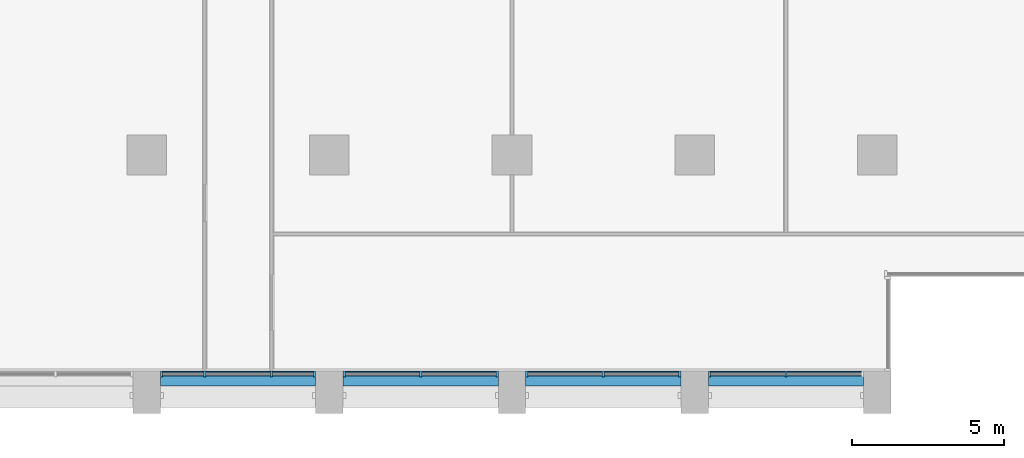
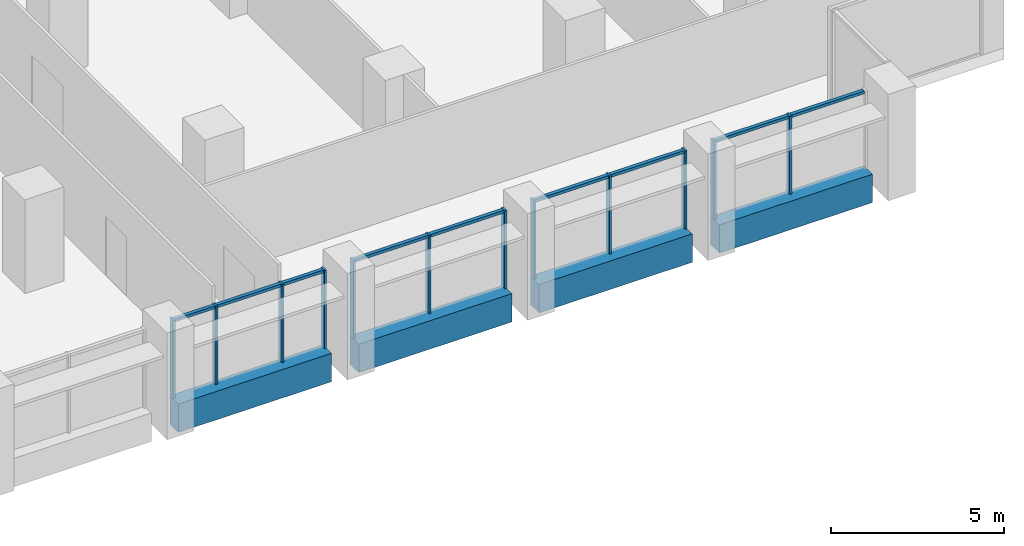
# One storey, part 3 of 15: 21 members, 4 beams, 4 elements without a shape of their own.
"""IFC4 building model written with IfcOpenShell, lengths in metres."""

from ifc_helpers import new_model, si_unit, direction, frame, origin, origin_2d, place, context, subcontext, project, spatial, rectangle, extrude, material, material_profile, profile_set, type_object, element, aggregate, save


model = new_model("IFC4")

# Units and contexts
model_context = context("Model", 3, precision=1e-05, world=origin(), true_north=direction((0.0, 1.0)))
body_context = subcontext(model_context, "Body", "Model", "MODEL_VIEW")
ifc_project = project(units=[si_unit("LENGTHUNIT", "METRE"), si_unit("AREAUNIT", "SQUARE_METRE"), si_unit("VOLUMEUNIT", "CUBIC_METRE"), si_unit("PLANEANGLEUNIT", "RADIAN"), si_unit("MASSUNIT", "GRAM", prefix="KILO")], contexts=[model_context])

# Site, building, storey
site_placement = place(None, origin())
site = spatial("IfcSite", under=ifc_project, at=site_placement, CompositionType="ELEMENT")
building_placement = place(site_placement, origin())
building = spatial("IfcBuilding", under=site, at=building_placement, Name="Calvaro Tower", CompositionType="ELEMENT")
storey_placement = place(building_placement, frame((0.0, 0.0, 128.75)))
storey = spatial("IfcBuildingStorey", under=building, at=storey_placement, Name="L32", CompositionType="ELEMENT", Elevation=128.75)

# Curtain wall, members
ifc_material_1 = material(Name="Anodised aluminium", Category="aluminium")
curtain_wall_type = type_object("IfcCurtainWallType", Name="Office curtain wall, middle zone", PredefinedType="NOTDEFINED", material=ifc_material_1)
curtain_wall_1_placement = place(storey_placement, origin())
curtain_wall_1 = element("IfcCurtainWall", 1, at=curtain_wall_1_placement, inside=storey, type_object=curtain_wall_type, Name="CW2 south curtain wall", PredefinedType="NOTDEFINED")
ifc_material_2 = material(Name="Anodised aluminium", Category="aluminium")
ifc_material_profile_1 = material_profile(ifc_material_2, rectangle(XDim=0.199951171875, YDim=0.070068359375, at=origin_2d()), Name="Mullion S2 70 x 200")
ifc_profile_set_1 = profile_set([ifc_material_profile_1], Name="Anodised aluminium")
member_type_1 = type_object("IfcMemberType", Name="Mullion S2 70 x 200", PredefinedType="MULLION", material=ifc_profile_set_1)
member_1_placement = place(storey_placement, frame((42.485107421875, 2.800048828125, 0.0), z_axis=(0.0, 0.0, 1.0), x_axis=(0.0, 1.0, 0.0)))
member_1 = element("IfcMember", 2, at=member_1_placement, type_object=member_type_1, Name="CW2 mullion 1", PredefinedType="MULLION", context=body_context, shape_type="SweptSolid", body=[
    extrude(rectangle(XDim=0.199951171875, YDim=0.070068359375, at=origin_2d()), origin(), (0.0, 0.0, 1.0), 2.75),
])
member_2_placement = place(storey_placement, frame((43.89990234375, 2.800048828125, 0.0), z_axis=(0.0, 0.0, 1.0), x_axis=(0.0, 1.0, 0.0)))
member_2 = element("IfcMember", 3, at=member_2_placement, type_object=member_type_1, Name="CW2 mullion 2", PredefinedType="MULLION", context=body_context, shape_type="SweptSolid", body=[
    extrude(rectangle(XDim=0.199951171875, YDim=0.070068359375, at=origin_2d()), origin(), (0.0, 0.0, 1.0), 2.75),
])
member_3_placement = place(storey_placement, frame((46.10009765625, 2.800048828125, 0.0), z_axis=(0.0, 0.0, 1.0), x_axis=(0.0, 1.0, 0.0)))
member_3 = element("IfcMember", 4, at=member_3_placement, type_object=member_type_1, Name="CW2 mullion 3", PredefinedType="MULLION", context=body_context, shape_type="SweptSolid", body=[
    extrude(rectangle(XDim=0.199951171875, YDim=0.070068359375, at=origin_2d()), origin(), (0.0, 0.0, 1.0), 2.75),
])
member_4_placement = place(storey_placement, frame((47.514892578125, 2.800048828125, 0.0), z_axis=(0.0, 0.0, 1.0), x_axis=(0.0, 1.0, 0.0)))
member_4 = element("IfcMember", 5, at=member_4_placement, type_object=member_type_1, Name="CW2 mullion 4", PredefinedType="MULLION", context=body_context, shape_type="SweptSolid", body=[
    extrude(rectangle(XDim=0.199951171875, YDim=0.070068359375, at=origin_2d()), origin(), (0.0, 0.0, 1.0), 2.75),
])

curtain_wall_2_placement = place(storey_placement, origin())
curtain_wall_2 = element("IfcCurtainWall", 6, at=curtain_wall_2_placement, inside=storey, type_object=curtain_wall_type, Name="CW2 south curtain wall", PredefinedType="NOTDEFINED")
member_5_placement = place(storey_placement, frame((48.485107421875, 2.800048828125, 0.0), z_axis=(0.0, 0.0, 1.0), x_axis=(0.0, 1.0, 0.0)))
member_5 = element("IfcMember", 7, at=member_5_placement, type_object=member_type_1, Name="CW2 mullion 1", PredefinedType="MULLION", context=body_context, shape_type="SweptSolid", body=[
    extrude(rectangle(XDim=0.199951171875, YDim=0.070068359375, at=origin_2d()), origin(), (0.0, 0.0, 1.0), 2.75),
])
member_6_placement = place(storey_placement, frame((51.0, 2.800048828125, 0.0), z_axis=(0.0, 0.0, 1.0), x_axis=(0.0, 1.0, 0.0)))
member_6 = element("IfcMember", 8, at=member_6_placement, type_object=member_type_1, Name="CW2 mullion 2", PredefinedType="MULLION", context=body_context, shape_type="SweptSolid", body=[
    extrude(rectangle(XDim=0.199951171875, YDim=0.070068359375, at=origin_2d()), origin(), (0.0, 0.0, 1.0), 2.75),
])
member_7_placement = place(storey_placement, frame((53.514892578125, 2.800048828125, 0.0), z_axis=(0.0, 0.0, 1.0), x_axis=(0.0, 1.0, 0.0)))
member_7 = element("IfcMember", 9, at=member_7_placement, type_object=member_type_1, Name="CW2 mullion 3", PredefinedType="MULLION", context=body_context, shape_type="SweptSolid", body=[
    extrude(rectangle(XDim=0.199951171875, YDim=0.070068359375, at=origin_2d()), origin(), (0.0, 0.0, 1.0), 2.75),
])

curtain_wall_3_placement = place(storey_placement, origin())
curtain_wall_3 = element("IfcCurtainWall", 10, at=curtain_wall_3_placement, inside=storey, type_object=curtain_wall_type, Name="CW2 south curtain wall", PredefinedType="NOTDEFINED")
member_8_placement = place(storey_placement, frame((54.485107421875, 2.800048828125, 0.0), z_axis=(0.0, 0.0, 1.0), x_axis=(0.0, 1.0, 0.0)))
member_8 = element("IfcMember", 11, at=member_8_placement, type_object=member_type_1, Name="CW2 mullion 1", PredefinedType="MULLION", context=body_context, shape_type="SweptSolid", body=[
    extrude(rectangle(XDim=0.199951171875, YDim=0.070068359375, at=origin_2d()), origin(), (0.0, 0.0, 1.0), 2.75),
])
member_9_placement = place(storey_placement, frame((57.0, 2.800048828125, 0.0), z_axis=(0.0, 0.0, 1.0), x_axis=(0.0, 1.0, 0.0)))
member_9 = element("IfcMember", 12, at=member_9_placement, type_object=member_type_1, Name="CW2 mullion 2", PredefinedType="MULLION", context=body_context, shape_type="SweptSolid", body=[
    extrude(rectangle(XDim=0.199951171875, YDim=0.070068359375, at=origin_2d()), origin(), (0.0, 0.0, 1.0), 2.75),
])
member_10_placement = place(storey_placement, frame((59.514892578125, 2.800048828125, 0.0), z_axis=(0.0, 0.0, 1.0), x_axis=(0.0, 1.0, 0.0)))
member_10 = element("IfcMember", 13, at=member_10_placement, type_object=member_type_1, Name="CW2 mullion 3", PredefinedType="MULLION", context=body_context, shape_type="SweptSolid", body=[
    extrude(rectangle(XDim=0.199951171875, YDim=0.070068359375, at=origin_2d()), origin(), (0.0, 0.0, 1.0), 2.75),
])

curtain_wall_4_placement = place(storey_placement, origin())
curtain_wall_4 = element("IfcCurtainWall", 14, at=curtain_wall_4_placement, inside=storey, type_object=curtain_wall_type, Name="CW2 south curtain wall", PredefinedType="NOTDEFINED")
member_11_placement = place(storey_placement, frame((60.485107421875, 2.800048828125, 0.0), z_axis=(0.0, 0.0, 1.0), x_axis=(0.0, 1.0, 0.0)))
member_11 = element("IfcMember", 15, at=member_11_placement, type_object=member_type_1, Name="CW2 mullion 1", PredefinedType="MULLION", context=body_context, shape_type="SweptSolid", body=[
    extrude(rectangle(XDim=0.199951171875, YDim=0.070068359375, at=origin_2d()), origin(), (0.0, 0.0, 1.0), 2.75),
])
member_12_placement = place(storey_placement, frame((63.0, 2.800048828125, 0.0), z_axis=(0.0, 0.0, 1.0), x_axis=(0.0, 1.0, 0.0)))
member_12 = element("IfcMember", 16, at=member_12_placement, type_object=member_type_1, Name="CW2 mullion 2", PredefinedType="MULLION", context=body_context, shape_type="SweptSolid", body=[
    extrude(rectangle(XDim=0.199951171875, YDim=0.070068359375, at=origin_2d()), origin(), (0.0, 0.0, 1.0), 2.75),
])

# Beams
ifc_material_3 = material(Name="Concrete C50/60 precast", Category="concrete")
ifc_material_profile_2 = material_profile(ifc_material_3, rectangle(XDim=0.5, YDim=1.0, at=origin_2d()), Name="RC 500x1000")
ifc_profile_set_2 = profile_set([ifc_material_profile_2], Name="Concrete C50/60 precast")
beam_type = type_object("IfcBeamType", Name="Spandrel beam 500x1000 C50/60", PredefinedType="SPANDREL", material=ifc_profile_set_2)
for number, where, z_axis, x_axis, name in (
    (17, (42.449951171875, 2.64990234375, -0.5), (1.0, 0.0, 0.0), (0.0, 1.0, 0.0), "Spandrel beam"),
    (18, (48.449951171875, 2.64990234375, -0.5), (1.0, 0.0, 0.0), (0.0, 1.0, 0.0), "Spandrel beam"),
    (19, (54.449951171875, 2.64990234375, -0.5), (1.0, 0.0, 0.0), (0.0, 1.0, 0.0), "Spandrel beam"),
    (20, (60.449951171875, 2.64990234375, -0.5), (1.0, 0.0, 0.0), (0.0, 1.0, 0.0), "Spandrel beam"),
):
    element("IfcBeam", number, at=place(storey_placement, frame(where, z_axis=z_axis, x_axis=x_axis)), inside=storey, type_object=beam_type, Name=name, PredefinedType="SPANDREL", context=body_context, shape_type="SweptSolid", body=[
        extrude(rectangle(XDim=0.5, YDim=1.0, at=origin_2d()), origin(), (0.0, 0.0, 1.0), 5.10009765625),
    ])

# Member
ifc_material_4 = material(Name="Anodised aluminium", Category="aluminium")
ifc_material_profile_3 = material_profile(ifc_material_4, rectangle(XDim=0.1201171875, YDim=0.10009765625, at=origin_2d()), Name="Transom S2 100 x 120")
ifc_profile_set_3 = profile_set([ifc_material_profile_3], Name="Anodised aluminium")
member_type_2 = type_object("IfcMemberType", Name="Transom S2 100 x 120", PredefinedType="USERDEFINED", material=ifc_profile_set_3)
member_13_placement = place(storey_placement, frame((42.52001953125, 2.800048828125, 2.699951171875), z_axis=(1.0, 0.0, 0.0), x_axis=(0.0, 1.0, 0.0)))
member_13 = element("IfcMember", 21, at=member_13_placement, type_object=member_type_2, Name="CW2 transom 1.1", ObjectType="TRANSOM", PredefinedType="USERDEFINED", context=body_context, shape_type="SweptSolid", body=[
    extrude(rectangle(XDim=0.1201171875, YDim=0.10009765625, at=origin_2d()), origin(), (0.0, 0.0, 1.0), 1.344970703125),
])

member_14_placement = place(storey_placement, frame((43.93505859375, 2.800048828125, 2.699951171875), z_axis=(1.0, 0.0, 0.0), x_axis=(0.0, 1.0, 0.0)))
member_14 = element("IfcMember", 22, at=member_14_placement, type_object=member_type_2, Name="CW2 transom 2.1", ObjectType="TRANSOM", PredefinedType="USERDEFINED", context=body_context, shape_type="SweptSolid", body=[
    extrude(rectangle(XDim=0.1201171875, YDim=0.10009765625, at=origin_2d()), origin(), (0.0, 0.0, 1.0), 2.1298828125),
])

member_15_placement = place(storey_placement, frame((46.135009765625, 2.800048828125, 2.699951171875), z_axis=(1.0, 0.0, 0.0), x_axis=(0.0, 1.0, 0.0)))
member_15 = element("IfcMember", 23, at=member_15_placement, type_object=member_type_2, Name="CW2 transom 3.1", ObjectType="TRANSOM", PredefinedType="USERDEFINED", context=body_context, shape_type="SweptSolid", body=[
    extrude(rectangle(XDim=0.1201171875, YDim=0.10009765625, at=origin_2d()), origin(), (0.0, 0.0, 1.0), 1.344970703125),
])

aggregate(curtain_wall_1, [member_1, member_2, member_3, member_4, member_13, member_14, member_15])

member_16_placement = place(storey_placement, frame((48.52001953125, 2.800048828125, 2.699951171875), z_axis=(1.0, 0.0, 0.0), x_axis=(0.0, 1.0, 0.0)))
member_16 = element("IfcMember", 24, at=member_16_placement, type_object=member_type_2, Name="CW2 transom 1.1", ObjectType="TRANSOM", PredefinedType="USERDEFINED", context=body_context, shape_type="SweptSolid", body=[
    extrude(rectangle(XDim=0.1201171875, YDim=0.10009765625, at=origin_2d()), origin(), (0.0, 0.0, 1.0), 2.445068359375),
])

member_17_placement = place(storey_placement, frame((51.034912109375, 2.800048828125, 2.699951171875), z_axis=(1.0, 0.0, 0.0), x_axis=(0.0, 1.0, 0.0)))
member_17 = element("IfcMember", 25, at=member_17_placement, type_object=member_type_2, Name="CW2 transom 2.1", ObjectType="TRANSOM", PredefinedType="USERDEFINED", context=body_context, shape_type="SweptSolid", body=[
    extrude(rectangle(XDim=0.1201171875, YDim=0.10009765625, at=origin_2d()), origin(), (0.0, 0.0, 1.0), 2.445068359375),
])

aggregate(curtain_wall_2, [member_5, member_6, member_7, member_16, member_17])

member_18_placement = place(storey_placement, frame((54.52001953125, 2.800048828125, 2.699951171875), z_axis=(1.0, 0.0, 0.0), x_axis=(0.0, 1.0, 0.0)))
member_18 = element("IfcMember", 26, at=member_18_placement, type_object=member_type_2, Name="CW2 transom 1.1", ObjectType="TRANSOM", PredefinedType="USERDEFINED", context=body_context, shape_type="SweptSolid", body=[
    extrude(rectangle(XDim=0.1201171875, YDim=0.10009765625, at=origin_2d()), origin(), (0.0, 0.0, 1.0), 2.445068359375),
])

member_19_placement = place(storey_placement, frame((57.034912109375, 2.800048828125, 2.699951171875), z_axis=(1.0, 0.0, 0.0), x_axis=(0.0, 1.0, 0.0)))
member_19 = element("IfcMember", 27, at=member_19_placement, type_object=member_type_2, Name="CW2 transom 2.1", ObjectType="TRANSOM", PredefinedType="USERDEFINED", context=body_context, shape_type="SweptSolid", body=[
    extrude(rectangle(XDim=0.1201171875, YDim=0.10009765625, at=origin_2d()), origin(), (0.0, 0.0, 1.0), 2.445068359375),
])

aggregate(curtain_wall_3, [member_8, member_9, member_10, member_18, member_19])

member_20_placement = place(storey_placement, frame((60.52001953125, 2.800048828125, 2.699951171875), z_axis=(1.0, 0.0, 0.0), x_axis=(0.0, 1.0, 0.0)))
member_20 = element("IfcMember", 28, at=member_20_placement, type_object=member_type_2, Name="CW2 transom 1.1", ObjectType="TRANSOM", PredefinedType="USERDEFINED", context=body_context, shape_type="SweptSolid", body=[
    extrude(rectangle(XDim=0.1201171875, YDim=0.10009765625, at=origin_2d()), origin(), (0.0, 0.0, 1.0), 2.445068359375),
])

member_21_placement = place(storey_placement, frame((63.034912109375, 2.800048828125, 2.699951171875), z_axis=(1.0, 0.0, 0.0), x_axis=(0.0, 1.0, 0.0)))
member_21 = element("IfcMember", 29, at=member_21_placement, type_object=member_type_2, Name="CW2 transom 2.1", ObjectType="TRANSOM", PredefinedType="USERDEFINED", context=body_context, shape_type="SweptSolid", body=[
    extrude(rectangle(XDim=0.1201171875, YDim=0.10009765625, at=origin_2d()), origin(), (0.0, 0.0, 1.0), 2.445068359375),
])

aggregate(curtain_wall_4, [member_11, member_12, member_20, member_21])

save(model, "model.ifc")
